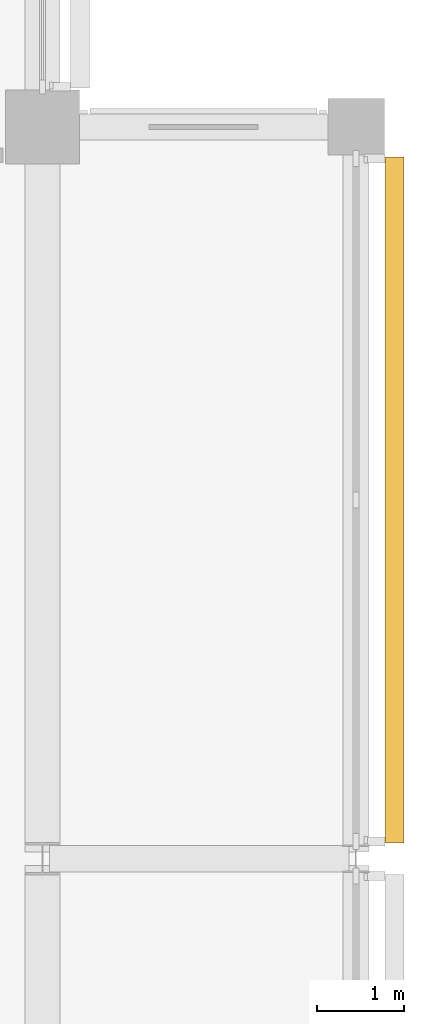
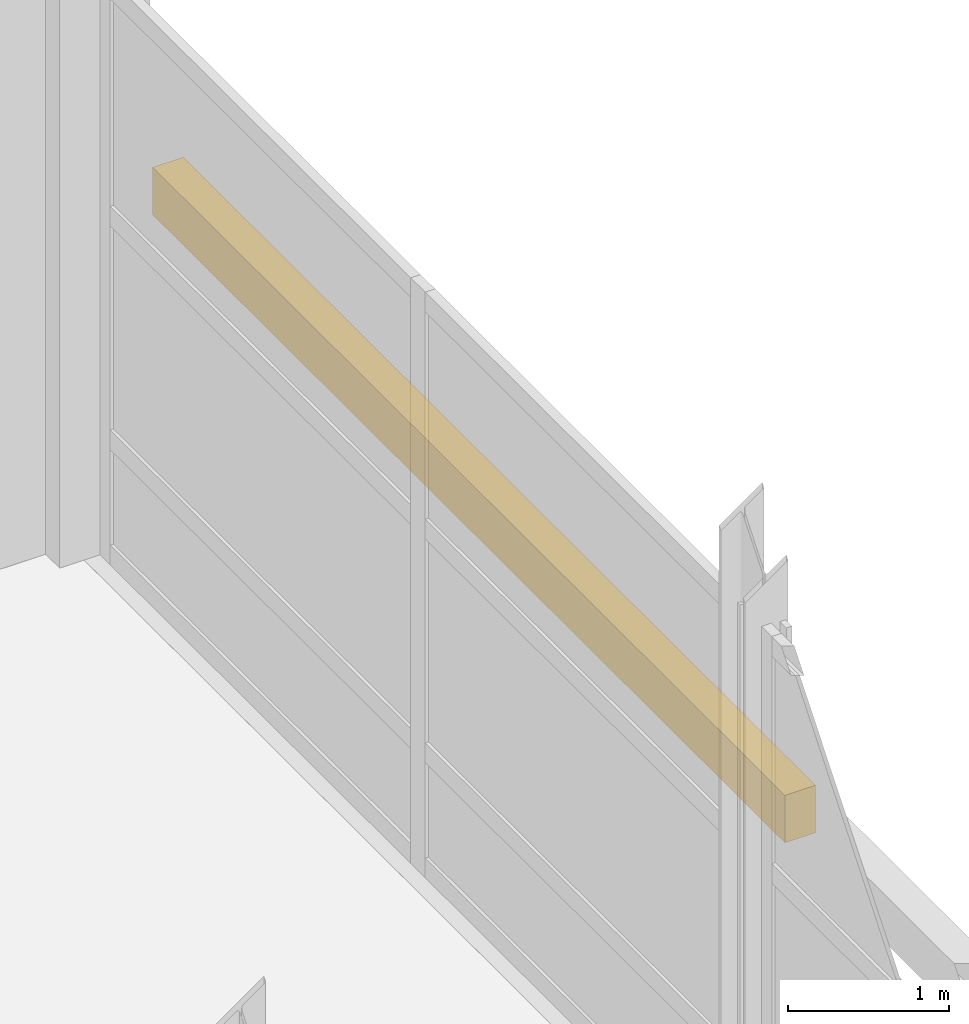
# One storey, part 137 of 140: 1 shading device.
"""IFC4 building model written with IfcOpenShell, lengths in metres."""

from ifc_helpers import new_model, si_unit, direction, frame, origin, origin_2d, place, context, subcontext, project, spatial, rectangle, extrude, material, layer, layer_set, type_object, element, save


model = new_model("IFC4")

# Units and contexts
model_context = context("Model", 3, precision=1e-05, world=origin(), true_north=direction((0.0, 1.0)))
body_context = subcontext(model_context, "Body", "Model", "MODEL_VIEW")
ifc_project = project(units=[si_unit("LENGTHUNIT", "METRE"), si_unit("AREAUNIT", "SQUARE_METRE"), si_unit("VOLUMEUNIT", "CUBIC_METRE"), si_unit("PLANEANGLEUNIT", "RADIAN"), si_unit("MASSUNIT", "GRAM", prefix="KILO")], contexts=[model_context])

# Site, building, storey
site_placement = place(None, origin())
site = spatial("IfcSite", under=ifc_project, at=site_placement, CompositionType="ELEMENT")
building_placement = place(site_placement, origin())
building = spatial("IfcBuilding", under=site, at=building_placement, Name="Telukmera Botanical Conservatory", CompositionType="ELEMENT")
storey_placement = place(building_placement, origin())
storey = spatial("IfcBuildingStorey", under=building, at=storey_placement, Name="L00", CompositionType="ELEMENT", Elevation=0.0)

# Shading device
ifc_material = material(Name="Perforated terracotta-anodised aluminium 6063-T6", Category="masonry")
ifc_layer = layer(ifc_material, 0.050048828125)
ifc_layer_set = layer_set([ifc_layer], Name="Perforated terracotta-anodised aluminium 6063-T6")
shading_device_type = type_object("IfcShadingDeviceType", Name="Operable Monsoon Solar Louvre Shutter Bank", PredefinedType="SHUTTER", material=ifc_layer_set)
shading_device_placement = place(storey_placement, frame((172.0400390625, 38.517578125, 2.4697265625), z_axis=(0.0, 0.0, 1.0), x_axis=(0.0, 1.0, 0.0)))
element("IfcShadingDevice", 1, at=shading_device_placement, inside=storey, type_object=shading_device_type, Name="Monsoon Shading SH01 V1:L00:E3", PredefinedType="SHUTTER", context=body_context, shape_type="SweptSolid", body=[
    extrude(rectangle(XDim=7.870849609375, YDim=0.219970703125, at=origin_2d()), origin(), (0.0, 0.0, 1.0), 0.360107421875),
])

save(model, "model.ifc")
